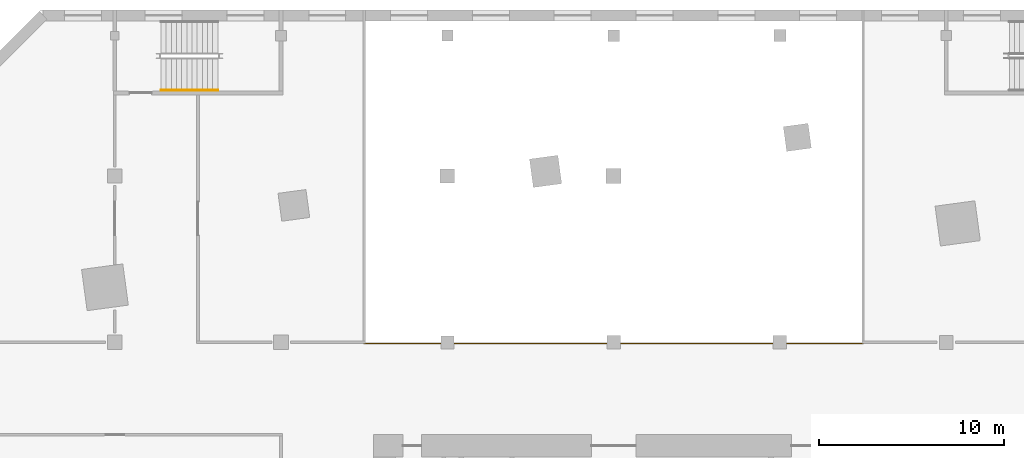
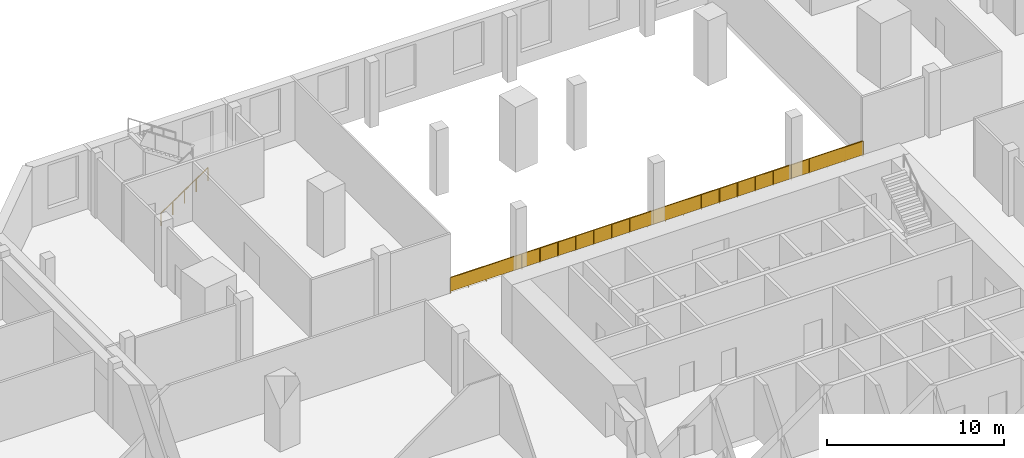
# One storey, part 25 of 27: 2 railings.
"""IFC4 building model written with IfcOpenShell, lengths in metres."""

import ifcopenshell
import ifcopenshell.guid

model = None  # the IFC model being written
_history = None  # IfcOwnerHistory: only IFC2X3 demands one
_inside = {}  # id of a spatial element -> (the spatial element, [elements in it])
_under = {}  # id of a project, library or spatial element -> (it, [spatial elements below it])
_declared = {}  # id of a project -> (the project, [libraries it declares])
_typed = {}  # id of a type object -> (the type object, [elements of that type])
_made_of = {}  # id of a material, layer set ... -> (it, [elements and type objects made of it])


def new_model(schema):
    """Start an empty IFC model of exactly this schema.

    Asked for "IFC4X3", IfcOpenShell would pick the latest addendum, in which some entities
    have other attributes; the version numbers below select the first issue.
    IFC2X3 requires an IfcOwnerHistory on every rooted entity: one is made here for all.
    """
    global model, _history
    if schema == "IFC4X3":
        model = ifcopenshell.file(schema_version=(4, 3, 0, 0))
    else:
        model = ifcopenshell.file(schema=schema)
    _inside.clear()
    _under.clear()
    _declared.clear()
    _typed.clear()
    _made_of.clear()
    _history = None
    if model.schema == "IFC2X3":
        org = make("IfcOrganization", Name="unknown")
        user = make(
            "IfcPersonAndOrganization",
            ThePerson=make("IfcPerson", FamilyName="unknown"),
            TheOrganization=org,
        )
        app = make(
            "IfcApplication",
            ApplicationDeveloper=org,
            Version="unknown",
            ApplicationFullName="unknown",
            ApplicationIdentifier="unknown",
        )
        _history = make(
            "IfcOwnerHistory",
            OwningUser=user,
            OwningApplication=app,
            ChangeAction="ADDED",
            CreationDate=0,
        )
    return model


def make(cls, **values):
    """One entity of the class cls with the attributes given. An attribute that is None is left unset."""
    return model.create_entity(
        cls, **{name: value for name, value in values.items() if value is not None}
    )


def rooted(cls, **values):
    """An entity with a GlobalId (a new one), such as an element, a storey or a relation."""
    return make(cls, GlobalId=ifcopenshell.guid.new(), OwnerHistory=_history, **values)


def si_unit(unit_type, name, prefix=None):
    """IfcSIUnit, for example si_unit("LENGTHUNIT", "METRE", prefix="MILLI")."""
    return make("IfcSIUnit", UnitType=unit_type, Prefix=prefix, Name=name)


def assignment(units):
    """IfcUnitAssignment: the units of a project."""
    return None if units is None else make("IfcUnitAssignment", Units=units)


def point(xyz):
    """IfcCartesianPoint."""
    return None if xyz is None else make("IfcCartesianPoint", Coordinates=xyz)


def direction(xyz):
    """IfcDirection."""
    return None if xyz is None else make("IfcDirection", DirectionRatios=xyz)


def frame(location, z_axis=None, x_axis=None):
    """IfcAxis2Placement3D, a coordinate frame: its origin and axes. An axis left out is left unset."""
    return make(
        "IfcAxis2Placement3D",
        Location=point(location),
        Axis=direction(z_axis),
        RefDirection=direction(x_axis),
    )


def frame_2d(location, x_axis=None):
    """IfcAxis2Placement2D, a coordinate frame in the plane: its origin and x axis."""
    return make(
        "IfcAxis2Placement2D", Location=point(location), RefDirection=direction(x_axis)
    )


def origin():
    """The frame at (0, 0, 0) with its axes left unset."""
    return frame((0.0, 0.0, 0.0))


def origin_2d():
    """The frame at (0, 0) in the plane with its x axis left unset."""
    return frame_2d((0.0, 0.0))


def place(relative_to, where):
    """IfcLocalPlacement: puts the frame where relative to a parent placement (None: the world)."""
    return make(
        "IfcLocalPlacement", PlacementRelTo=relative_to, RelativePlacement=where
    )


def context(
    kind, dimensions, precision=None, world=None, true_north=None, identifier=None
):
    """IfcGeometricRepresentationContext, for example the 3D "Model" context."""
    return make(
        "IfcGeometricRepresentationContext",
        ContextIdentifier=identifier,
        ContextType=kind,
        CoordinateSpaceDimension=dimensions,
        Precision=precision,
        WorldCoordinateSystem=world,
        TrueNorth=true_north,
    )


def subcontext(parent, identifier, kind, view, scale=None):
    """IfcGeometricRepresentationSubContext, for example "Body" below "Model"."""
    return make(
        "IfcGeometricRepresentationSubContext",
        ContextIdentifier=identifier,
        ContextType=kind,
        ParentContext=parent,
        TargetScale=scale,
        TargetView=view,
    )


def project(units=None, contexts=None):
    """IfcProject with its units and contexts."""
    return rooted(
        "IfcProject",
        Name="project",
        RepresentationContexts=contexts,
        UnitsInContext=assignment(units),
    )


def spatial(cls, under=None, at=None, **own):
    """A site, building, storey or space (cls), placed at a placement, below another one or the project."""
    s = rooted(cls, ObjectPlacement=at, **own)
    if under is not None:
        _under.setdefault(under.id(), (under, []))[1].append(s)
    return s


def profile(cls, at=None, kind="AREA", **sizes):
    """A parametric profile (cls). Its sizes go by their IFC names, for example OverallWidth=200.0."""
    return make(cls, ProfileType=kind, Position=at, **sizes)


def rectangle(**sizes):
    """IfcRectangleProfileDef."""
    return profile("IfcRectangleProfileDef", **sizes)


def circle(**sizes):
    """IfcCircleProfileDef."""
    return profile("IfcCircleProfileDef", **sizes)


def extrude(swept, where, along, depth):
    """IfcExtrudedAreaSolid: the profile swept, set in the frame where, extruded along a direction by depth."""
    return make(
        "IfcExtrudedAreaSolid",
        SweptArea=swept,
        Position=where,
        ExtrudedDirection=direction(along),
        Depth=depth,
    )


def shape(context_of_items, identifier, shape_type, items):
    """IfcShapeRepresentation: the items that make up one representation, for example the "Body"."""
    return make(
        "IfcShapeRepresentation",
        ContextOfItems=context_of_items,
        RepresentationIdentifier=identifier,
        RepresentationType=shape_type,
        Items=items,
    )


def material(Name=None, Category=None):
    """IfcMaterial."""
    return make("IfcMaterial", Name=Name, Category=Category)


def made_of(thing, what):
    """Note that an element or type object is made of a material, layer set ...; save() writes the relation."""
    if what is not None:
        _made_of.setdefault(what.id(), (what, []))[1].append(thing)
    return thing


def type_object(cls, material=None, **own):
    """A type object (cls), such as IfcWallType, which elements share."""
    return made_of(rooted(cls, **own), material)


def element(
    cls,
    number,
    at=None,
    inside=None,
    cuts=None,
    type_object=None,
    material=None,
    context=None,
    identifier="Body",
    shape_type=None,
    held_by="IfcProductDefinitionShape",
    body=None,
    shapes=None,
    **own,
):
    """One element of the class cls, such as IfcWall. Its Tag is "e" and its number.

    at: its placement. inside: the storey or other place that contains it. cuts: it is an
    opening in that element (IfcRelVoidsElement). A single representation is given by context,
    identifier, shape_type and body (its items); several are given by shapes. held_by: the class
    of the entity that holds the representations. save() writes the other relations.
    """
    e = rooted(cls, Tag="e%d" % number, ObjectPlacement=at, **own)
    if body is not None:
        shapes = [shape(context, identifier, shape_type, body)]
    if shapes is not None:
        e.Representation = make(held_by, Representations=shapes)
    if inside is not None:
        _inside.setdefault(inside.id(), (inside, []))[1].append(e)
    if cuts is not None:
        rooted(
            "IfcRelVoidsElement", RelatingBuildingElement=cuts, RelatedOpeningElement=e
        )
    if type_object is not None:
        _typed.setdefault(type_object.id(), (type_object, []))[1].append(e)
    return made_of(e, material)


def aggregate(whole, parts):
    """IfcRelAggregates: a whole, such as a stair, and the parts it consists of."""
    return rooted("IfcRelAggregates", RelatingObject=whole, RelatedObjects=parts)


def save(model, path):
    """Write the relations noted so far, then the file.

    IfcRelAggregates (storeys below a building ...), IfcRelContainedInSpatialStructure (elements
    in a storey), IfcRelDefinesByType, IfcRelAssociatesMaterial and IfcRelDeclares: one each for
    every whole, place, type object, material and project.
    """
    for whole, parts in _under.values():
        aggregate(whole, parts)
    for where, things in _inside.values():
        rooted(
            "IfcRelContainedInSpatialStructure",
            RelatedElements=things,
            RelatingStructure=where,
        )
    for kind, things in _typed.values():
        rooted("IfcRelDefinesByType", RelatedObjects=things, RelatingType=kind)
    for what, things in _made_of.values():
        rooted("IfcRelAssociatesMaterial", RelatedObjects=things, RelatingMaterial=what)
    for by, libraries in _declared.values():
        rooted("IfcRelDeclares", RelatingContext=by, RelatedDefinitions=libraries)
    model.write(path)


model = new_model("IFC4")

# Units and contexts
model_context = context("Model", 3, precision=1e-05, world=origin(), true_north=direction((0.0, 1.0)))
body_context = subcontext(model_context, "Body", "Model", "MODEL_VIEW")
ifc_project = project(units=[si_unit("LENGTHUNIT", "METRE"), si_unit("AREAUNIT", "SQUARE_METRE"), si_unit("VOLUMEUNIT", "CUBIC_METRE"), si_unit("PLANEANGLEUNIT", "RADIAN"), si_unit("MASSUNIT", "GRAM", prefix="KILO")], contexts=[model_context])

# Site, building, storey
site_placement = place(None, origin())
site = spatial("IfcSite", under=ifc_project, at=site_placement, CompositionType="ELEMENT")
building_placement = place(site_placement, origin())
building = spatial("IfcBuilding", under=site, at=building_placement, Name="Dilmun Exchange Tower", CompositionType="ELEMENT")
storey_placement = place(building_placement, frame((0.0, 0.0, 4.5)))
storey = spatial("IfcBuildingStorey", under=building, at=storey_placement, Name="L01", CompositionType="ELEMENT", Elevation=4.5)

# Railings
ifc_material_1 = material(Name="Guard 1100")
railing_type_1 = type_object("IfcRailingType", Name="Guard 1100", PredefinedType="GUARDRAIL", material=ifc_material_1)
railing_1_placement = place(storey_placement, frame((-13.5, 17.93994140625, 0.0)))
element("IfcRailing", 1, at=railing_1_placement, inside=storey, type_object=railing_type_1, Name="L01 guard at Concourse void", PredefinedType="GUARDRAIL", context=body_context, shape_type="SweptSolid", body=[
    extrude(circle(Radius=0.02392578125, at=origin_2d()), frame((0.0, 0.0, 1.076171875), z_axis=(1.0, 0.0, 0.0), x_axis=(0.0, 1.0, 0.0)), (0.0, 0.0, 1.0), 27.0),
    extrude(rectangle(XDim=0.011962890625, YDim=0.951904296875, at=origin_2d()), frame((0.0, 0.0, 0.576171875), z_axis=(1.0, 0.0, 0.0), x_axis=(0.0, 1.0, 0.0)), (0.0, 0.0, 1.0), 27.0),
    extrude(circle(Radius=0.02099609375, at=origin_2d()), origin(), (0.0, 0.0, 1.0), 1.052001953125),
    extrude(circle(Radius=0.02099609375, at=origin_2d()), frame((1.173828125, 0.0, 0.0)), (0.0, 0.0, 1.0), 1.052001953125),
    extrude(circle(Radius=0.02099609375, at=origin_2d()), frame((2.347900390625, 0.0, 0.0)), (0.0, 0.0, 1.0), 1.052001953125),
    extrude(circle(Radius=0.02099609375, at=origin_2d()), frame((3.521728515625, 0.0, 0.0)), (0.0, 0.0, 1.0), 1.052001953125),
    extrude(circle(Radius=0.02099609375, at=origin_2d()), frame((4.695556640625, 0.0, 0.0)), (0.0, 0.0, 1.0), 1.052001953125),
    extrude(circle(Radius=0.02099609375, at=origin_2d()), frame((5.86962890625, 0.0, 0.0)), (0.0, 0.0, 1.0), 1.052001953125),
    extrude(circle(Radius=0.02099609375, at=origin_2d()), frame((7.04345703125, 0.0, 0.0)), (0.0, 0.0, 1.0), 1.052001953125),
    extrude(circle(Radius=0.02099609375, at=origin_2d()), frame((8.21728515625, 0.0, 0.0)), (0.0, 0.0, 1.0), 1.052001953125),
    extrude(circle(Radius=0.02099609375, at=origin_2d()), frame((9.391357421875, 0.0, 0.0)), (0.0, 0.0, 1.0), 1.052001953125),
    extrude(circle(Radius=0.02099609375, at=origin_2d()), frame((10.565185546875, 0.0, 0.0)), (0.0, 0.0, 1.0), 1.052001953125),
    extrude(circle(Radius=0.02099609375, at=origin_2d()), frame((11.739013671875, 0.0, 0.0)), (0.0, 0.0, 1.0), 1.052001953125),
    extrude(circle(Radius=0.02099609375, at=origin_2d()), frame((12.9130859375, 0.0, 0.0)), (0.0, 0.0, 1.0), 1.052001953125),
    extrude(circle(Radius=0.02099609375, at=origin_2d()), frame((14.0869140625, 0.0, 0.0)), (0.0, 0.0, 1.0), 1.052001953125),
    extrude(circle(Radius=0.02099609375, at=origin_2d()), frame((15.260986328125, 0.0, 0.0)), (0.0, 0.0, 1.0), 1.052001953125),
    extrude(circle(Radius=0.02099609375, at=origin_2d()), frame((16.434814453125, 0.0, 0.0)), (0.0, 0.0, 1.0), 1.052001953125),
    extrude(circle(Radius=0.02099609375, at=origin_2d()), frame((17.608642578125, 0.0, 0.0)), (0.0, 0.0, 1.0), 1.052001953125),
    extrude(circle(Radius=0.02099609375, at=origin_2d()), frame((18.78271484375, 0.0, 0.0)), (0.0, 0.0, 1.0), 1.052001953125),
    extrude(circle(Radius=0.02099609375, at=origin_2d()), frame((19.95654296875, 0.0, 0.0)), (0.0, 0.0, 1.0), 1.052001953125),
    extrude(circle(Radius=0.02099609375, at=origin_2d()), frame((21.13037109375, 0.0, 0.0)), (0.0, 0.0, 1.0), 1.052001953125),
    extrude(circle(Radius=0.02099609375, at=origin_2d()), frame((22.304443359375, 0.0, 0.0)), (0.0, 0.0, 1.0), 1.052001953125),
    extrude(circle(Radius=0.02099609375, at=origin_2d()), frame((23.478271484375, 0.0, 0.0)), (0.0, 0.0, 1.0), 1.052001953125),
    extrude(circle(Radius=0.02099609375, at=origin_2d()), frame((24.652099609375, 0.0, 0.0)), (0.0, 0.0, 1.0), 1.052001953125),
    extrude(circle(Radius=0.02099609375, at=origin_2d()), frame((25.826171875, 0.0, 0.0)), (0.0, 0.0, 1.0), 1.052001953125),
    extrude(circle(Radius=0.02099609375, at=origin_2d()), frame((27.0, 0.0, 0.0)), (0.0, 0.0, 1.0), 1.052001953125),
])
ifc_material_2 = material(Name="Handrail 900")
railing_type_2 = type_object("IfcRailingType", Name="Handrail 900", PredefinedType="HANDRAIL", material=ifc_material_2)
railing_2_placement = place(storey_placement, frame((-24.5, 31.64990234375, 0.1875)))
element("IfcRailing", 2, at=railing_2_placement, inside=storey, type_object=railing_type_2, Name="L01 PS1 stair handrail 1", PredefinedType="HANDRAIL", context=body_context, shape_type="SweptSolid", body=[
    extrude(circle(Radius=0.02392578125, at=origin_2d()), frame((0.0, 0.0, 0.8759765625), z_axis=(0.830913701846, 0.0, 0.55640131208), x_axis=(0.0, 1.0, 0.0)), (0.0, 0.0, 1.0), 3.706787109375),
    extrude(circle(Radius=0.02099609375, at=origin_2d()), origin(), (0.0, 0.0, 1.0), 0.851806640625),
    extrude(circle(Radius=0.02099609375, at=origin_2d()), frame((0.77001953125, 0.0, 0.515625)), (0.0, 0.0, 1.0), 0.851806640625),
    extrude(circle(Radius=0.02099609375, at=origin_2d()), frame((1.5400390625, 0.0, 1.03125)), (0.0, 0.0, 1.0), 0.851806640625),
    extrude(circle(Radius=0.02099609375, at=origin_2d()), frame((2.31005859375, 0.0, 1.546875)), (0.0, 0.0, 1.0), 0.851806640625),
    extrude(circle(Radius=0.02099609375, at=origin_2d()), frame((3.080078125, 0.0, 2.0625)), (0.0, 0.0, 1.0), 0.851806640625),
])

save(model, "model.ifc")
